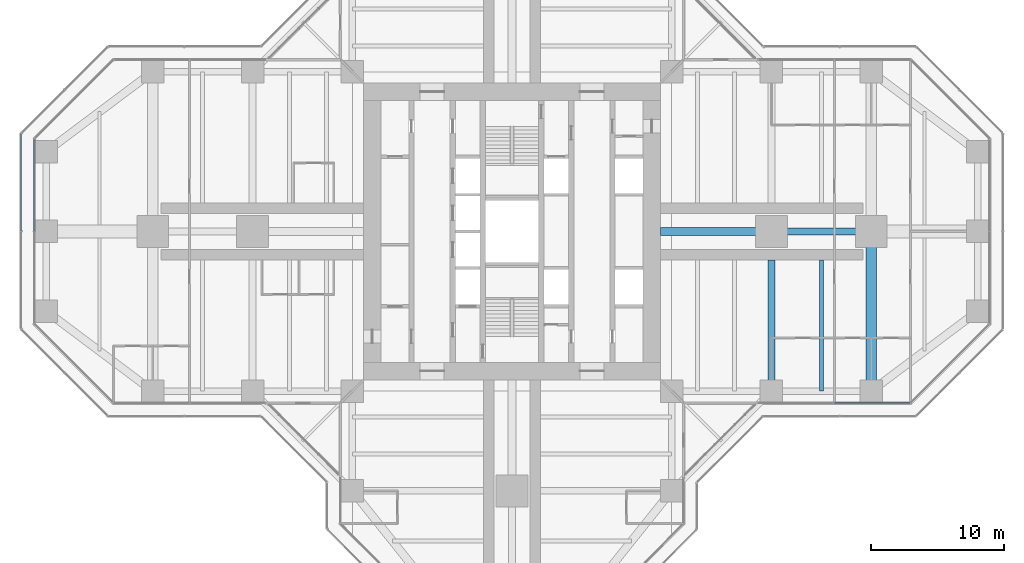
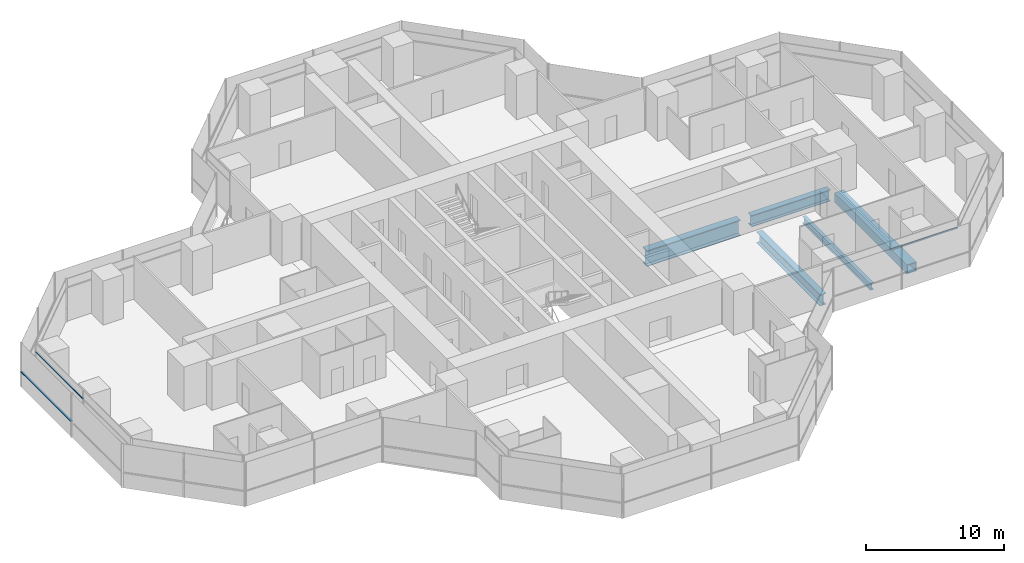
# One storey, part 6 of 20: 5 beams, 3 members, 3 elements without a shape of their own.
"""IFC4 building model written with IfcOpenShell, lengths in metres."""

from ifc_helpers import new_model, si_unit, direction, frame, origin, origin_2d, place, context, subcontext, project, spatial, rectangle, hollow_rectangle, i_section, extrude, material, material_profile, profile_set, type_object, element, aggregate, save


model = new_model("IFC4")

# Units and contexts
model_context = context("Model", 3, precision=1e-05, world=origin(), true_north=direction((0.0, 1.0)))
body_context = subcontext(model_context, "Body", "Model", "MODEL_VIEW")
ifc_project = project(units=[si_unit("LENGTHUNIT", "METRE"), si_unit("AREAUNIT", "SQUARE_METRE"), si_unit("VOLUMEUNIT", "CUBIC_METRE"), si_unit("PLANEANGLEUNIT", "RADIAN"), si_unit("MASSUNIT", "GRAM", prefix="KILO")], contexts=[model_context])

# Site, building, storey
site_placement = place(None, origin())
site = spatial("IfcSite", under=ifc_project, at=site_placement, CompositionType="ELEMENT")
building_placement = place(site_placement, origin())
building = spatial("IfcBuilding", under=site, at=building_placement, Name="Mizan Broadcast Tower", CompositionType="ELEMENT")
storey_placement = place(building_placement, frame((0.0, 0.0, 135.89990234375)))
storey = spatial("IfcBuildingStorey", under=building, at=storey_placement, Name="L30", CompositionType="ELEMENT", Elevation=135.89990234375)

# Beams
ifc_material_1 = material(Name="Steel S460", Category="steel")
ifc_material_profile_1 = material_profile(ifc_material_1, hollow_rectangle(XDim=0.800048828125, YDim=0.800048828125, WallThickness=0.050048828125, at=origin_2d()), Name="BOX 800x800x50")
ifc_profile_set_1 = profile_set([ifc_material_profile_1], Name="Steel S460")
beam_type_1 = type_object("IfcBeamType", Name="GIRDER BOX 800x800x50", PredefinedType="BEAM", material=ifc_profile_set_1)
beam_1_placement = place(storey_placement, frame((27.0, -11.280029296875, -0.52978515625), z_axis=(0.0, 1.0, 0.0), x_axis=(-1.0, 0.0, 0.0)))
element("IfcBeam", 1, at=beam_1_placement, inside=storey, type_object=beam_type_1, Name="Girder BOX 800x800x50 L30 east arm", PredefinedType="BEAM", context=body_context, shape_type="SweptSolid", body=[
    extrude(hollow_rectangle(XDim=0.800048828125, YDim=0.800048828125, WallThickness=0.050048828125, at=origin_2d()), origin(), (0.0, 0.0, 1.0), 10.56005859375),
])
ifc_material_2 = material(Name="Steel S460", Category="steel")
ifc_material_profile_2 = material_profile(ifc_material_2, i_section(OverallWidth=0.5, OverallDepth=1.0, WebThickness=0.02490234375, FlangeThickness=0.050048828125, at=origin_2d()), Name="WPG 1000x500")
ifc_profile_set_2 = profile_set([ifc_material_profile_2], Name="Steel S460")
beam_type_2 = type_object("IfcBeamType", Name="GIRDER WPG 1000x500", PredefinedType="BEAM", material=ifc_profile_set_2)
beam_2_placement = place(storey_placement, frame((19.949951171875, 0.0, -0.6298828125), z_axis=(1.0, 0.0, 0.0), x_axis=(0.0, 1.0, 0.0)))
element("IfcBeam", 2, at=beam_2_placement, inside=storey, type_object=beam_type_2, Name="Girder WPG 1000x500 L30 east arm", PredefinedType="BEAM", context=body_context, shape_type="SweptSolid", body=[
    extrude(i_section(OverallWidth=0.5, OverallDepth=1.0, WebThickness=0.02490234375, FlangeThickness=0.050048828125, at=origin_2d()), origin(), (0.0, 0.0, 1.0), 6.60009765625),
])
beam_3_placement = place(storey_placement, frame((19.5, -11.408935546875, -0.6298828125), z_axis=(0.0, 1.0, 0.0), x_axis=(-1.0, 0.0, 0.0)))
element("IfcBeam", 3, at=beam_3_placement, inside=storey, type_object=beam_type_2, Name="Girder WPG 1000x500 L30 east arm", PredefinedType="BEAM", context=body_context, shape_type="SweptSolid", body=[
    extrude(i_section(OverallWidth=0.5, OverallDepth=1.0, WebThickness=0.02490234375, FlangeThickness=0.050048828125, at=origin_2d()), origin(), (0.0, 0.0, 1.0), 9.259033203125),
])
ifc_material_3 = material(Name="Steel S460", Category="steel")
ifc_material_profile_3 = material_profile(ifc_material_3, i_section(OverallWidth=0.60009765625, OverallDepth=1.39990234375, WebThickness=0.02490234375, FlangeThickness=0.06005859375, at=origin_2d()), Name="WPG 1400x600")
ifc_profile_set_3 = profile_set([ifc_material_profile_3], Name="Steel S460")
beam_type_3 = type_object("IfcBeamType", Name="GIRDER WPG 1400x600", PredefinedType="BEAM", material=ifc_profile_set_3)
beam_4_placement = place(storey_placement, frame((11.14990234375, 0.0, -0.829833984375), z_axis=(1.0, 0.0, 0.0), x_axis=(0.0, 1.0, 0.0)))
element("IfcBeam", 4, at=beam_4_placement, inside=storey, type_object=beam_type_3, Name="Girder WPG 1400x600 L30 east arm", PredefinedType="BEAM", context=body_context, shape_type="SweptSolid", body=[
    extrude(i_section(OverallWidth=0.60009765625, OverallDepth=1.39990234375, WebThickness=0.02490234375, FlangeThickness=0.06005859375, at=origin_2d()), origin(), (0.0, 0.0, 1.0), 7.84912109375),
])

# Curtain wall, member
ifc_material_4 = material(Name="Aluminium framed glazing", Category="aluminium")
curtain_wall_type_1 = type_object("IfcCurtainWallType", Name="INNER SKIN MID ZONE", PredefinedType="USERDEFINED", material=ifc_material_4)
curtain_wall_1_placement = place(storey_placement, origin())
curtain_wall_1 = element("IfcCurtainWall", 5, at=curtain_wall_1_placement, inside=storey, type_object=curtain_wall_type_1, Name="Inner skin mid zone L30 E side", ObjectType="INNER SKIN MID ZONE", PredefinedType="USERDEFINED")
ifc_material_5 = material(Name="Aluminium, pale anodised", Category="aluminium")
ifc_material_profile_4 = material_profile(ifc_material_5, rectangle(XDim=0.1201171875, YDim=0.06005859375, at=origin_2d()), Name="TRANSOM 120x60")
ifc_profile_set_4 = profile_set([ifc_material_profile_4], Name="Aluminium, pale anodised")
member_type_1 = type_object("IfcMemberType", Name="INNER SKIN TRANSOM 60x120", PredefinedType="USERDEFINED", material=ifc_profile_set_4)
member_1_placement = place(storey_placement, frame((24.25927734375, -12.89990234375, 3.030029296875), z_axis=(1.0, 0.0, 0.0), x_axis=(0.0, 1.0, 0.0)))
member_1 = element("IfcMember", 6, at=member_1_placement, type_object=member_type_1, Name="Inner skin mid zone L30 E side transom 2.1", ObjectType="TRANSOM", PredefinedType="USERDEFINED", context=body_context, shape_type="SweptSolid", body=[
    extrude(rectangle(XDim=0.1201171875, YDim=0.06005859375, at=origin_2d()), origin(), (0.0, 0.0, 1.0), 5.639404296875),
])
aggregate(curtain_wall_1, [member_1])

curtain_wall_2_placement = place(storey_placement, origin())
curtain_wall_2 = element("IfcCurtainWall", 7, at=curtain_wall_2_placement, inside=storey, type_object=curtain_wall_type_1, Name="Inner skin mid zone L30 W end", ObjectType="INNER SKIN MID ZONE", PredefinedType="USERDEFINED")
member_2_placement = place(storey_placement, frame((-35.89990234375, 6.898681640625, 3.030029296875), z_axis=(0.0, -1.0, 0.0), x_axis=(1.0, 0.0, 0.0)))
member_2 = element("IfcMember", 8, at=member_2_placement, type_object=member_type_1, Name="Inner skin mid zone L30 W end transom 1.1", ObjectType="TRANSOM", PredefinedType="USERDEFINED", context=body_context, shape_type="SweptSolid", body=[
    extrude(rectangle(XDim=0.1201171875, YDim=0.06005859375, at=origin_2d()), origin(), (0.0, 0.0, 1.0), 6.86865234375),
])
aggregate(curtain_wall_2, [member_2])

ifc_material_6 = material(Name="Aluminium framed glazing", Category="aluminium")
curtain_wall_type_2 = type_object("IfcCurtainWallType", Name="OUTER SKIN", PredefinedType="USERDEFINED", material=ifc_material_6)
curtain_wall_3_placement = place(storey_placement, origin())
curtain_wall_3 = element("IfcCurtainWall", 9, at=curtain_wall_3_placement, inside=storey, type_object=curtain_wall_type_2, Name="Outer skin L30 W end", ObjectType="OUTER SKIN", PredefinedType="USERDEFINED")
ifc_material_7 = material(Name="Aluminium, pale anodised", Category="aluminium")
ifc_material_profile_5 = material_profile(ifc_material_7, rectangle(XDim=0.159912109375, YDim=0.06005859375, at=origin_2d()), Name="TRANSOM 160x60")
ifc_profile_set_5 = profile_set([ifc_material_profile_5], Name="Aluminium, pale anodised")
member_type_2 = type_object("IfcMemberType", Name="OUTER SKIN TRANSOM 60x160", PredefinedType="USERDEFINED", material=ifc_profile_set_5)
member_3_placement = place(storey_placement, frame((-36.89990234375, 7.292724609375, 1.400146484375), z_axis=(0.0, -1.0, 0.0), x_axis=(1.0, 0.0, 0.0)))
member_3 = element("IfcMember", 10, at=member_3_placement, type_object=member_type_2, Name="Outer skin L30 W end transom 1.1", ObjectType="TRANSOM", PredefinedType="USERDEFINED", context=body_context, shape_type="SweptSolid", body=[
    extrude(rectangle(XDim=0.159912109375, YDim=0.06005859375, at=origin_2d()), origin(), (0.0, 0.0, 1.0), 7.252685546875),
])
aggregate(curtain_wall_3, [member_3])

# Beam
ifc_material_8 = material(Name="Steel S355", Category="steel")
ifc_material_profile_6 = material_profile(ifc_material_8, i_section(OverallWidth=0.300048828125, OverallDepth=0.590087890625, WebThickness=0.012939453125, FlangeThickness=0.02490234375, FilletRadius=0.027099609375, at=origin_2d()), Name="HEA 600")
ifc_profile_set_6 = profile_set([ifc_material_profile_6], Name="Steel S355")
beam_type_4 = type_object("IfcBeamType", Name="SECONDARY BEAM HEA 600", PredefinedType="JOIST", material=ifc_profile_set_6)
beam_5_placement = place(storey_placement, frame((23.25, -12.0, -0.4248046875), z_axis=(0.0, 1.0, 0.0), x_axis=(-1.0, 0.0, 0.0)))
element("IfcBeam", 11, at=beam_5_placement, inside=storey, type_object=beam_type_4, Name="Secondary beam HEA 600 L30 east arm", PredefinedType="JOIST", context=body_context, shape_type="SweptSolid", body=[
    extrude(i_section(OverallWidth=0.300048828125, OverallDepth=0.590087890625, WebThickness=0.012939453125, FlangeThickness=0.02490234375, FilletRadius=0.027099609375, at=origin_2d()), origin(), (0.0, 0.0, 1.0), 9.85009765625),
])

save(model, "model.ifc")
